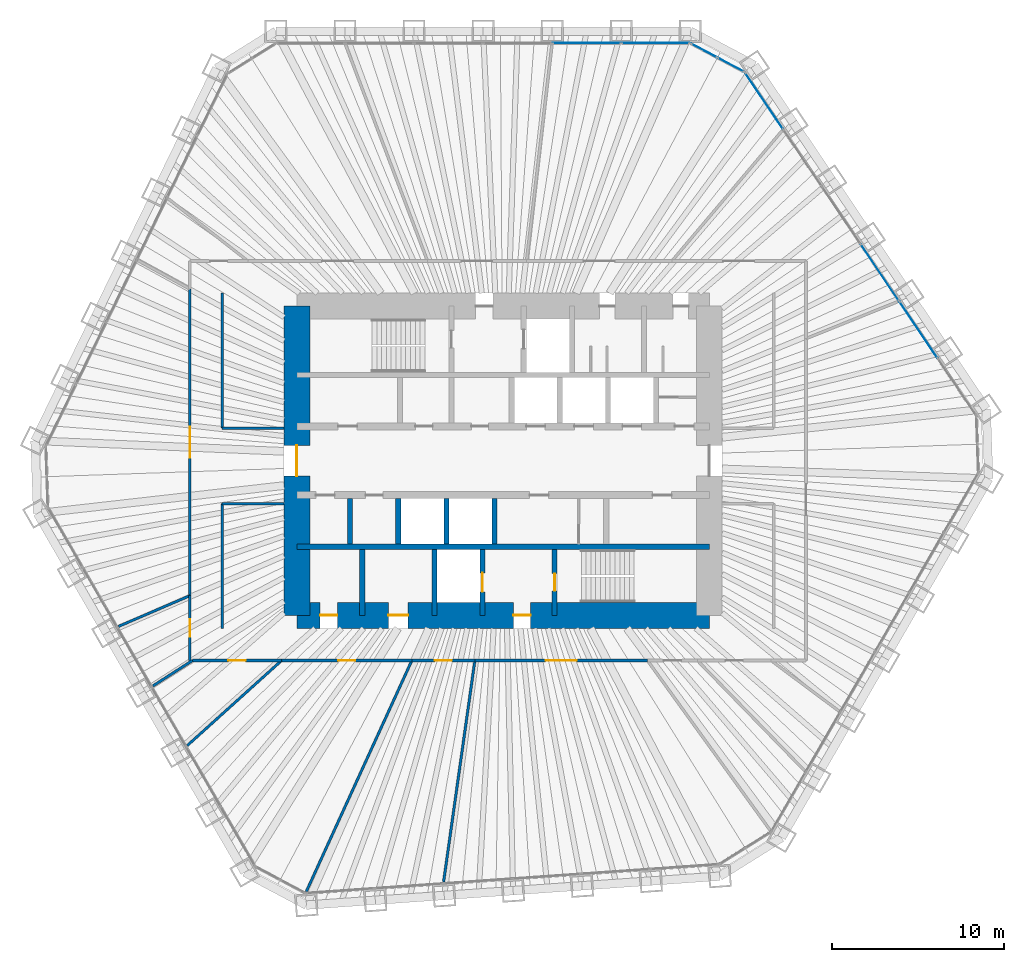
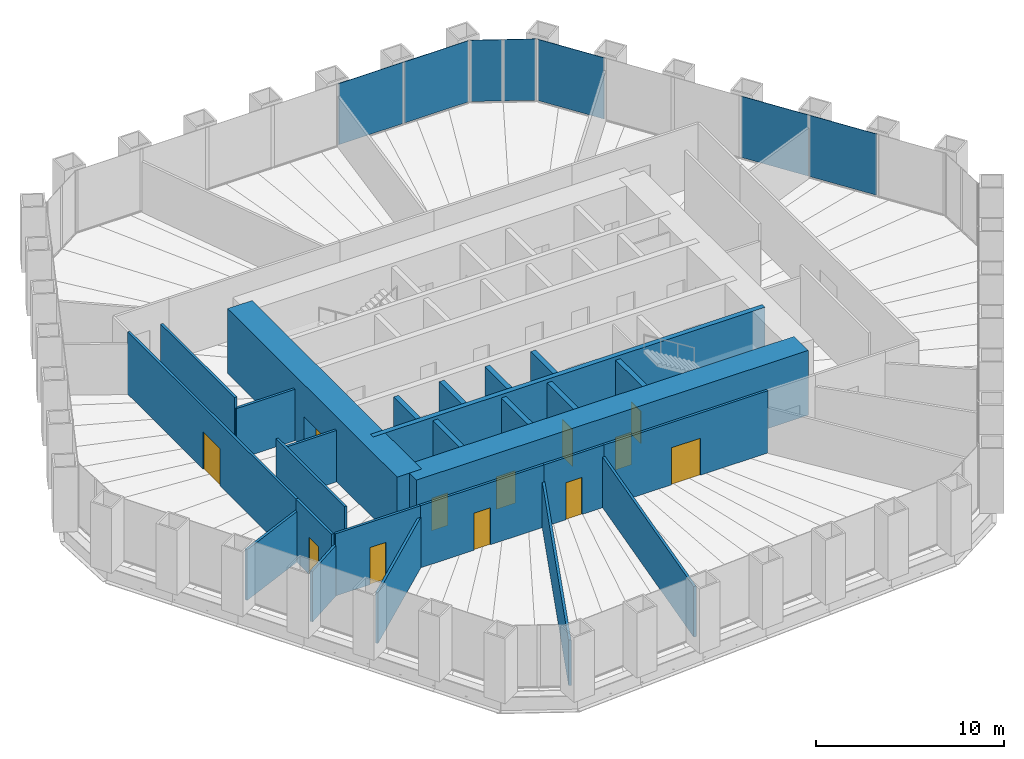
# One storey, part 10 of 13: 26 walls, 12 doors, 7 plates, 12 openings, 3 elements without a shape of their own.
"""IFC4 building model written with IfcOpenShell, lengths in metres."""

from ifc_helpers import new_model, si_unit, direction, frame, frame_2d, origin, origin_2d, place, context, subcontext, project, spatial, rectangle, extrude, material, layer, layer_set, type_object, element, fill, aggregate, save


model = new_model("IFC4")

# Units and contexts
model_context = context("Model", 3, precision=1e-05, world=origin(), true_north=direction((0.0, 1.0)))
body_context = subcontext(model_context, "Body", "Model", "MODEL_VIEW")
ifc_project = project(units=[si_unit("LENGTHUNIT", "METRE"), si_unit("AREAUNIT", "SQUARE_METRE"), si_unit("VOLUMEUNIT", "CUBIC_METRE"), si_unit("PLANEANGLEUNIT", "RADIAN"), si_unit("MASSUNIT", "GRAM", prefix="KILO")], contexts=[model_context])

# Site, building, storey
site_placement = place(None, origin())
site = spatial("IfcSite", under=ifc_project, at=site_placement, CompositionType="ELEMENT")
building_placement = place(site_placement, origin())
building = spatial("IfcBuilding", under=site, at=building_placement, Name="Qingtian Harvest Tower", CompositionType="ELEMENT")
storey_placement = place(building_placement, frame((0.0, 0.0, 161.800048828125)))
storey = spatial("IfcBuildingStorey", under=building, at=storey_placement, Name="L34", CompositionType="ELEMENT", Elevation=161.800048828125)

# Curtain wall, plates
ifc_material_1 = material(Name="Bronze-anodised aluminium curtain wall", Category="aluminium")
curtain_wall_type = type_object("IfcCurtainWallType", Name="Curtain wall CW4 office", PredefinedType="USERDEFINED", material=ifc_material_1)
curtain_wall_1_placement = place(storey_placement, origin())
curtain_wall_1 = element("IfcCurtainWall", 1, at=curtain_wall_1_placement, inside=storey, type_object=curtain_wall_type, Name="Curtain wall CW4 L34 N0-5", ObjectType="RECESSED CURTAIN WALL", PredefinedType="USERDEFINED")
ifc_material_2 = material(Name="Bronze-tinted laminated insulating glass", Category="glass")
ifc_layer_1 = layer(ifc_material_2, 0.030029296875)
ifc_layer_set_1 = layer_set([ifc_layer_1], Name="Glazed panel CWP tinted IGU")
plate_type = type_object("IfcPlateType", Name="Glazed panel CWP tinted IGU", PredefinedType="CURTAIN_PANEL", material=ifc_layer_set_1)
plate_1_placement = place(storey_placement, frame((4.864013671875, 24.300048828125, 0.06494140625), z_axis=(0.0, 0.0, 1.0), x_axis=(1.0, 0.0, 0.0)))
plate_1 = element("IfcPlate", 2, at=plate_1_placement, type_object=plate_type, Name="CW4 panel 5.1", PredefinedType="CURTAIN_PANEL", context=body_context, shape_type="SweptSolid", body=[
    extrude(rectangle(XDim=3.9541015625, YDim=0.030029296875, at=origin_2d()), origin(), (0.0, 0.0, 1.0), 3.965087890625),
])
plate_2_placement = place(storey_placement, frame((8.866943359375, 24.300048828125, 0.06494140625), z_axis=(0.0, 0.0, 1.0), x_axis=(1.0, 0.0, 0.0)))
plate_2 = element("IfcPlate", 3, at=plate_2_placement, type_object=plate_type, Name="CW4 panel 6.1", PredefinedType="CURTAIN_PANEL", context=body_context, shape_type="SweptSolid", body=[
    extrude(rectangle(XDim=3.921630859375, YDim=0.030029296875, at=origin_2d()), origin(), (0.0, 0.0, 1.0), 3.965087890625),
])
aggregate(curtain_wall_1, [plate_1, plate_2])

curtain_wall_2_placement = place(storey_placement, origin())
curtain_wall_2 = element("IfcCurtainWall", 4, at=curtain_wall_2_placement, inside=storey, type_object=curtain_wall_type, Name="Curtain wall CW4 L34 NC", ObjectType="RECESSED CURTAIN WALL", PredefinedType="USERDEFINED")
plate_3_placement = place(storey_placement, frame((11.697509765625, 23.8720703125, 0.06494140625), z_axis=(0.0, 0.0, 1.0), x_axis=(0.882947592859, -0.469471562786, 0.0)))
plate_3 = element("IfcPlate", 5, at=plate_3_placement, type_object=plate_type, Name="CW4 panel 1.1", PredefinedType="CURTAIN_PANEL", context=body_context, shape_type="SweptSolid", body=[
    extrude(rectangle(XDim=1.69287109375, YDim=0.030029296875, at=origin_2d()), origin(), (0.0, 0.0, 1.0), 3.965087890625),
])
plate_4_placement = place(storey_placement, frame((13.249755859375, 23.046875, 0.06494140625), z_axis=(0.0, 0.0, 1.0), x_axis=(0.882947592859, -0.469471562786, 0.0)))
plate_4 = element("IfcPlate", 6, at=plate_4_placement, type_object=plate_type, Name="CW4 panel 2.1", PredefinedType="CURTAIN_PANEL", context=body_context, shape_type="SweptSolid", body=[
    extrude(rectangle(XDim=1.69287109375, YDim=0.030029296875, at=origin_2d()), origin(), (0.0, 0.0, 1.0), 3.965087890625),
])
aggregate(curtain_wall_2, [plate_3, plate_4])

curtain_wall_3_placement = place(storey_placement, origin())
curtain_wall_3 = element("IfcCurtainWall", 7, at=curtain_wall_3_placement, inside=storey, type_object=curtain_wall_type, Name="Curtain wall CW4 L34 NE0-5", ObjectType="RECESSED CURTAIN WALL", PredefinedType="USERDEFINED")
plate_5_placement = place(storey_placement, frame((15.187255859375, 20.939453125, 0.06494140625), z_axis=(0.0, 0.0, 1.0), x_axis=(0.559192903471, -0.829037572555, 0.0)))
plate_5 = element("IfcPlate", 8, at=plate_5_placement, type_object=plate_type, Name="CW4 panel 1.1", PredefinedType="CURTAIN_PANEL", context=body_context, shape_type="SweptSolid", body=[
    extrude(rectangle(XDim=3.921630859375, YDim=0.030029296875, at=origin_2d()), origin(), (0.0, 0.0, 1.0), 3.965087890625),
])
plate_6_placement = place(storey_placement, frame((21.92041015625, 10.95703125, 0.06494140625), z_axis=(0.0, 0.0, 1.0), x_axis=(0.559192903471, -0.829037572555, 0.0)))
plate_6 = element("IfcPlate", 9, at=plate_6_placement, type_object=plate_type, Name="CW4 panel 4.1", PredefinedType="CURTAIN_PANEL", context=body_context, shape_type="SweptSolid", body=[
    extrude(rectangle(XDim=3.9541015625, YDim=0.030029296875, at=origin_2d()), origin(), (0.0, 0.0, 1.0), 3.965087890625),
])
plate_7_placement = place(storey_placement, frame((24.16796875, 7.625, 0.06494140625), z_axis=(0.0, 0.0, 1.0), x_axis=(0.559192903471, -0.829037572555, 0.0)))
plate_7 = element("IfcPlate", 10, at=plate_7_placement, type_object=plate_type, Name="CW4 panel 5.1", PredefinedType="CURTAIN_PANEL", context=body_context, shape_type="SweptSolid", body=[
    extrude(rectangle(XDim=3.9541015625, YDim=0.030029296875, at=origin_2d()), origin(), (0.0, 0.0, 1.0), 3.965087890625),
])
aggregate(curtain_wall_3, [plate_5, plate_6, plate_7])

# Walls
ifc_material_3 = material(Name="Concrete fc' 70 MPa", Category="concrete")
ifc_layer_2 = layer(ifc_material_3, 0.300048828125)
ifc_layer_set_2 = layer_set([ifc_layer_2], Name="Core inner wall RC5 300")
wall_type_1 = type_object("IfcWallType", Name="Core inner wall RC5 300", PredefinedType="SHEAR", material=ifc_layer_set_2)
wall_1_placement = place(storey_placement, frame((-12.0, -5.0, 0.0), z_axis=(0.0, 0.0, 1.0), x_axis=(1.0, 0.0, 0.0)))
element("IfcWall", 11, at=wall_1_placement, inside=storey, type_object=wall_type_1, Name="Core wall IS5 L34", PredefinedType="SHEAR", context=body_context, shape_type="SweptSolid", body=[
    extrude(rectangle(XDim=24.0, YDim=0.300048828125, at=frame_2d((12.0, 0.0))), origin(), (0.0, 0.0, 1.0), 4.199951171875),
])
ifc_material_4 = material(Name="Precast concrete shaft panel", Category="concrete")
ifc_layer_3 = layer(ifc_material_4, 0.300048828125)
ifc_layer_set_3 = layer_set([ifc_layer_3], Name="Core shaft partition SW1 300")
wall_type_2 = type_object("IfcWallType", Name="Core shaft partition SW1 300", PredefinedType="PARTITIONING", material=ifc_layer_set_3)
for number, where, z_axis, x_axis, name in (
    (12, (-8.89990234375, -4.85009765625, 0.0), (0.0, 0.0, 1.0), (0.0, 1.0, 0.0), "Core shaft partition XB1 L34"),
    (13, (-6.10009765625, -4.85009765625, 0.0), (0.0, 0.0, 1.0), (0.0, 1.0, 0.0), "Core shaft partition XB2 L34"),
    (14, (-3.300048828125, -4.85009765625, 0.0), (0.0, 0.0, 1.0), (0.0, 1.0, 0.0), "Core shaft partition XB3 L34"),
    (15, (-0.5, -4.85009765625, 0.0), (0.0, 0.0, 1.0), (0.0, 1.0, 0.0), "Core shaft partition XB4 L34"),
):
    element("IfcWall", number, at=place(storey_placement, frame(where, z_axis=z_axis, x_axis=x_axis)), inside=storey, type_object=wall_type_2, Name=name, PredefinedType="PARTITIONING", context=body_context, shape_type="SweptSolid", body=[
        extrude(rectangle(XDim=2.650146484375, YDim=0.300048828125, at=frame_2d((1.3251953125, 0.0))), origin(), (0.0, 0.0, 1.0), 3.97998046875),
    ])
for number, where, z_axis, x_axis, name in (
    (16, (-8.199951171875, -9.0, 0.0), (0.0, 0.0, 1.0), (0.0, 1.0, 0.0), "Core shaft partition XS1 L34"),
    (17, (-4.0, -9.0, 0.0), (0.0, 0.0, 1.0), (0.0, 1.0, 0.0), "Core shaft partition XS2 L34"),
):
    element("IfcWall", number, at=place(storey_placement, frame(where, z_axis=z_axis, x_axis=x_axis)), inside=storey, type_object=wall_type_2, Name=name, PredefinedType="PARTITIONING", context=body_context, shape_type="SweptSolid", body=[
        extrude(rectangle(XDim=3.85009765625, YDim=0.300048828125, at=frame_2d((1.925048828125, 0.0))), origin(), (0.0, 0.0, 1.0), 3.97998046875),
    ])

# Wall, opening, door
wall_2_placement = place(storey_placement, frame((-1.199951171875, -9.0, 0.0), z_axis=(0.0, 0.0, 1.0), x_axis=(0.0, 1.0, 0.0)))
wall_2 = element("IfcWall", 18, at=wall_2_placement, inside=storey, type_object=wall_type_2, Name="Core shaft partition XS3 L34", PredefinedType="PARTITIONING", context=body_context, shape_type="SweptSolid", body=[
    extrude(rectangle(XDim=3.85009765625, YDim=0.300048828125, at=frame_2d((1.925048828125, 0.0))), origin(), (0.0, 0.0, 1.0), 3.97998046875),
])
opening_1_placement = place(wall_2_placement, frame((1.375, 0.0, 0.0)))
opening_1 = element("IfcOpeningElement", 19, at=opening_1_placement, cuts=wall_2, Name="Opening LD1", PredefinedType="OPENING", context=body_context, shape_type="SweptSolid", body=[
    extrude(rectangle(XDim=1.10009765625, YDim=2.39990234375, at=frame_2d((0.550048828125, 1.199951171875))), frame((0.0, 0.159912109375, 0.0), z_axis=(0.0, -1.0, 0.0), x_axis=(1.0, 0.0, 0.0)), (0.0, 0.0, 1.0), 0.320068359375),
])
ifc_material_5 = material(Name="Stainless steel lift landing door", Category="steel")
door_type_1 = type_object("IfcDoorType", Name="Lift landing door LD1 1 HR", OperationType="DOUBLE_DOOR_SLIDING", PredefinedType="DOOR", material=ifc_material_5)
door_1_placement = place(opening_1_placement, origin())
door_1 = element("IfcDoor", 20, at=door_1_placement, inside=storey, type_object=door_type_1, Name="FL2 landing door L34", OperationType="DOUBLE_DOOR_SLIDING", OverallHeight=2.39990234375, OverallWidth=1.10009765625, PredefinedType="DOOR", context=body_context, shape_type="SweptSolid", body=[
    extrude(rectangle(XDim=1.10009765625, YDim=2.39990234375, at=frame_2d((0.550048828125, 1.199951171875))), frame((0.0, 0.02490234375, 0.0), z_axis=(0.0, -1.0, 0.0), x_axis=(1.0, 0.0, 0.0)), (0.0, 0.0, 1.0), 0.050048828125),
])
fill(opening_1, door_1)

wall_3_placement = place(storey_placement, frame((3.0, -9.0, 0.0), z_axis=(0.0, 0.0, 1.0), x_axis=(0.0, 1.0, 0.0)))
wall_3 = element("IfcWall", 21, at=wall_3_placement, inside=storey, type_object=wall_type_2, Name="Core shaft partition XS4 L34", PredefinedType="PARTITIONING", context=body_context, shape_type="SweptSolid", body=[
    extrude(rectangle(XDim=3.85009765625, YDim=0.300048828125, at=frame_2d((1.925048828125, 0.0))), origin(), (0.0, 0.0, 1.0), 3.97998046875),
])
opening_2_placement = place(wall_3_placement, frame((1.425048828125, 0.0, 0.0)))
opening_2 = element("IfcOpeningElement", 22, at=opening_2_placement, cuts=wall_3, Name="Opening FD1", PredefinedType="OPENING", context=body_context, shape_type="SweptSolid", body=[
    extrude(rectangle(XDim=1.0, YDim=2.10009765625, at=frame_2d((0.5, 1.050048828125))), frame((0.0, 0.159912109375, 0.0), z_axis=(0.0, -1.0, 0.0), x_axis=(1.0, 0.0, 0.0)), (0.0, 0.0, 1.0), 0.320068359375),
])
ifc_material_6 = material(Name="Steel-faced door leaf", Category="steel")
door_type_2 = type_object("IfcDoorType", Name="Fire door FD1 single 1 HR", OperationType="SINGLE_SWING_LEFT", PredefinedType="DOOR", material=ifc_material_6)
door_2_placement = place(opening_2_placement, origin())
door_2 = element("IfcDoor", 23, at=door_2_placement, inside=storey, type_object=door_type_2, Name="S2 door L34", OperationType="SINGLE_SWING_RIGHT", OverallHeight=2.10009765625, OverallWidth=1.0, PredefinedType="DOOR", context=body_context, shape_type="SweptSolid", body=[
    extrude(rectangle(XDim=1.0, YDim=2.10009765625, at=frame_2d((0.5, 1.050048828125))), frame((0.0, 0.02490234375, 0.0), z_axis=(0.0, -1.0, 0.0), x_axis=(1.0, 0.0, 0.0)), (0.0, 0.0, 1.0), 0.050048828125),
])
fill(opening_2, door_2)

# Wall, openings, doors
ifc_material_7 = material(Name="Concrete fc' 70 MPa", Category="concrete")
ifc_layer_4 = layer(ifc_material_7, 1.5)
ifc_layer_set_4 = layer_set([ifc_layer_4], Name="Core wall RC1 1500")
wall_type_3 = type_object("IfcWallType", Name="Core wall RC1 1500", PredefinedType="SHEAR", material=ifc_layer_set_4)
wall_4_placement = place(storey_placement, frame((-12.0, -9.0, 0.0), z_axis=(0.0, 0.0, 1.0), x_axis=(1.0, 0.0, 0.0)))
wall_4 = element("IfcWall", 24, at=wall_4_placement, inside=storey, type_object=wall_type_3, Name="Core wall CS L34", PredefinedType="SHEAR", context=body_context, shape_type="SweptSolid", body=[
    extrude(rectangle(XDim=24.0, YDim=1.5, at=frame_2d((12.0, 0.0))), origin(), (0.0, 0.0, 1.0), 4.199951171875),
])
opening_3_placement = place(wall_4_placement, frame((1.35009765625, 0.0, 0.0)))
opening_3 = element("IfcOpeningElement", 25, at=opening_3_placement, cuts=wall_4, Name="Opening FD1", PredefinedType="OPENING", context=body_context, shape_type="SweptSolid", body=[
    extrude(rectangle(XDim=1.0, YDim=2.10009765625, at=frame_2d((0.5, 1.050048828125))), frame((0.0, 0.760009765625, 0.0), z_axis=(0.0, -1.0, 0.0), x_axis=(1.0, 0.0, 0.0)), (0.0, 0.0, 1.0), 1.52001953125),
])
opening_4_placement = place(wall_4_placement, frame((5.324951171875, 0.0, 0.0)))
opening_4 = element("IfcOpeningElement", 26, at=opening_4_placement, cuts=wall_4, Name="Opening AD1", PredefinedType="OPENING", context=body_context, shape_type="SweptSolid", body=[
    extrude(rectangle(XDim=1.14990234375, YDim=2.10009765625, at=frame_2d((0.574951171875, 1.050048828125))), frame((0.0, 0.760009765625, 0.0), z_axis=(0.0, -1.0, 0.0), x_axis=(1.0, 0.0, 0.0)), (0.0, 0.0, 1.0), 1.52001953125),
])
opening_5_placement = place(wall_4_placement, frame((12.60009765625, 0.0, 0.0)))
opening_5 = element("IfcOpeningElement", 27, at=opening_5_placement, cuts=wall_4, Name="Opening FD1", PredefinedType="OPENING", context=body_context, shape_type="SweptSolid", body=[
    extrude(rectangle(XDim=1.0, YDim=2.10009765625, at=frame_2d((0.5, 1.050048828125))), frame((0.0, 0.760009765625, 0.0), z_axis=(0.0, -1.0, 0.0), x_axis=(1.0, 0.0, 0.0)), (0.0, 0.0, 1.0), 1.52001953125),
])
ifc_material_8 = material(Name="Laminated timber door leaf", Category="wood")
door_type_3 = type_object("IfcDoorType", Name="Accessible WC door AD1 single", OperationType="SINGLE_SWING_LEFT", PredefinedType="DOOR", material=ifc_material_8)
door_3_placement = place(opening_4_placement, origin())
door_3 = element("IfcDoor", 28, at=door_3_placement, inside=storey, type_object=door_type_3, Name="AWC door L34", OperationType="SINGLE_SWING_RIGHT", OverallHeight=2.10009765625, OverallWidth=1.14990234375, PredefinedType="DOOR", context=body_context, shape_type="SweptSolid", body=[
    extrude(rectangle(XDim=1.14990234375, YDim=2.10009765625, at=frame_2d((0.574951171875, 1.050048828125))), frame((0.0, 0.02490234375, 0.0), z_axis=(0.0, -1.0, 0.0), x_axis=(1.0, 0.0, 0.0)), (0.0, 0.0, 1.0), 0.050048828125),
])
fill(opening_4, door_3)
door_4_placement = place(opening_3_placement, origin())
door_4 = element("IfcDoor", 29, at=door_4_placement, inside=storey, type_object=door_type_2, Name="CLN door L34", OperationType="SINGLE_SWING_LEFT", OverallHeight=2.10009765625, OverallWidth=1.0, PredefinedType="DOOR", context=body_context, shape_type="SweptSolid", body=[
    extrude(rectangle(XDim=1.0, YDim=2.10009765625, at=frame_2d((0.5, 1.050048828125))), frame((0.0, 0.02490234375, 0.0), z_axis=(0.0, -1.0, 0.0), x_axis=(1.0, 0.0, 0.0)), (0.0, 0.0, 1.0), 0.050048828125),
])
fill(opening_3, door_4)
door_5_placement = place(opening_5_placement, origin())
door_5 = element("IfcDoor", 30, at=door_5_placement, inside=storey, type_object=door_type_2, Name="V2 door L34", OperationType="SINGLE_SWING_LEFT", OverallHeight=2.10009765625, OverallWidth=1.0, PredefinedType="DOOR", context=body_context, shape_type="SweptSolid", body=[
    extrude(rectangle(XDim=1.0, YDim=2.10009765625, at=frame_2d((0.5, 1.050048828125))), frame((0.0, 0.02490234375, 0.0), z_axis=(0.0, -1.0, 0.0), x_axis=(1.0, 0.0, 0.0)), (0.0, 0.0, 1.0), 0.050048828125),
])
fill(opening_5, door_5)

# Wall, opening, door
wall_5_placement = place(storey_placement, frame((-12.0, -9.0, 0.0), z_axis=(0.0, 0.0, 1.0), x_axis=(0.0, 1.0, 0.0)))
wall_5 = element("IfcWall", 31, at=wall_5_placement, inside=storey, type_object=wall_type_3, Name="Core wall CW L34", PredefinedType="SHEAR", context=body_context, shape_type="SweptSolid", body=[
    extrude(rectangle(XDim=18.0, YDim=1.5, at=frame_2d((9.0, 0.0))), origin(), (0.0, 0.0, 1.0), 4.199951171875),
])
opening_6_placement = place(wall_5_placement, frame((8.10009765625, 0.0, 0.0)))
opening_6 = element("IfcOpeningElement", 32, at=opening_6_placement, cuts=wall_5, Name="Opening FD2", PredefinedType="OPENING", context=body_context, shape_type="SweptSolid", body=[
    extrude(rectangle(XDim=1.800048828125, YDim=2.10009765625, at=frame_2d((0.89990234375, 1.050048828125))), frame((0.0, 0.760009765625, 0.0), z_axis=(0.0, -1.0, 0.0), x_axis=(1.0, 0.0, 0.0)), (0.0, 0.0, 1.0), 1.52001953125),
])
ifc_material_9 = material(Name="Steel-faced door leaf", Category="steel")
door_type_4 = type_object("IfcDoorType", Name="Fire door FD2 double 1 HR", OperationType="DOUBLE_DOOR_DOUBLE_SWING", PredefinedType="DOOR", material=ifc_material_9)
door_6_placement = place(opening_6_placement, origin())
door_6 = element("IfcDoor", 33, at=door_6_placement, inside=storey, type_object=door_type_4, Name="LOBBY-W door L34", OperationType="DOUBLE_DOOR_DOUBLE_SWING", OverallHeight=2.10009765625, OverallWidth=1.800048828125, PredefinedType="DOOR", context=body_context, shape_type="SweptSolid", body=[
    extrude(rectangle(XDim=1.800048828125, YDim=2.10009765625, at=frame_2d((0.89990234375, 1.050048828125))), frame((0.0, 0.02490234375, 0.0), z_axis=(0.0, -1.0, 0.0), x_axis=(1.0, 0.0, 0.0)), (0.0, 0.0, 1.0), 0.050048828125),
])
fill(opening_6, door_6)

ifc_material_10 = material(Name="Gypsum board on steel studs", Category="steel")
ifc_layer_5 = layer(ifc_material_10, 0.14990234375)
ifc_layer_set_5 = layer_set([ifc_layer_5], Name="Partition PT1 150")
wall_type_4 = type_object("IfcWallType", Name="Partition PT1 150", PredefinedType="PARTITIONING", material=ifc_layer_set_5)
wall_6_placement = place(storey_placement, frame((8.4013671875, -11.625, 0.0), z_axis=(0.0, 0.0, 1.0), x_axis=(-1.0, 0.0, 0.0)))
wall_6 = element("IfcWall", 34, at=wall_6_placement, inside=storey, type_object=wall_type_4, Name="Grower training room wall L34", PredefinedType="PARTITIONING", context=body_context, shape_type="SweptSolid", body=[
    extrude(rectangle(XDim=10.043701171875, YDim=0.14990234375, at=frame_2d((5.02197265625, 0.0))), origin(), (0.0, 0.0, 1.0), 4.030029296875),
])
opening_7_placement = place(wall_6_placement, frame((4.121826171875, 0.0, 0.0)))
opening_7 = element("IfcOpeningElement", 35, at=opening_7_placement, cuts=wall_6, Name="Opening D3", PredefinedType="OPENING", context=body_context, shape_type="SweptSolid", body=[
    extrude(rectangle(XDim=1.800048828125, YDim=2.39990234375, at=frame_2d((0.89990234375, 1.199951171875))), frame((0.0, 0.0849609375, 0.0), z_axis=(0.0, -1.0, 0.0), x_axis=(1.0, 0.0, 0.0)), (0.0, 0.0, 1.0), 0.169921875),
])
ifc_material_11 = material(Name="Laminated timber door leaf", Category="wood")
door_type_5 = type_object("IfcDoorType", Name="Room door D3 double", OperationType="DOUBLE_DOOR_DOUBLE_SWING", PredefinedType="DOOR", material=ifc_material_11)
door_7_placement = place(opening_7_placement, origin())
door_7 = element("IfcDoor", 36, at=door_7_placement, inside=storey, type_object=door_type_5, Name="Grower training room door L34", OperationType="DOUBLE_DOOR_DOUBLE_SWING", OverallHeight=2.39990234375, OverallWidth=1.800048828125, PredefinedType="DOOR", context=body_context, shape_type="SweptSolid", body=[
    extrude(rectangle(XDim=1.800048828125, YDim=2.39990234375, at=frame_2d((0.89990234375, 1.199951171875))), frame((0.0, 0.02490234375, 0.0), z_axis=(0.0, -1.0, 0.0), x_axis=(1.0, 0.0, 0.0)), (0.0, 0.0, 1.0), 0.050048828125),
])
fill(opening_7, door_7)

# Wall
wall_7_placement = place(storey_placement, frame((-3.4619140625, -24.50341796875, 0.0), z_axis=(0.0, 0.0, 1.0), x_axis=(0.139899618934, 0.990165691499, 0.0)))
element("IfcWall", 37, at=wall_7_placement, inside=storey, type_object=wall_type_4, Name="Pantry wall L34", PredefinedType="PARTITIONING", context=body_context, shape_type="SweptSolid", body=[
    extrude(rectangle(XDim=13.00634765625, YDim=0.14990234375, at=frame_2d((6.503173828125, 0.0))), origin(), (0.0, 0.0, 1.0), 3.280029296875),
])

# Wall, opening, door
wall_8_placement = place(storey_placement, frame((-1.642333984375, -11.625, 0.0), z_axis=(0.0, 0.0, 1.0), x_axis=(-1.0, 0.0, 0.0)))
wall_8 = element("IfcWall", 38, at=wall_8_placement, inside=storey, type_object=wall_type_4, Name="Pantry wall L34", PredefinedType="PARTITIONING", context=body_context, shape_type="SweptSolid", body=[
    extrude(rectangle(XDim=3.66796875, YDim=0.14990234375, at=frame_2d((1.833984375, 0.0))), origin(), (0.0, 0.0, 1.0), 4.030029296875),
])
opening_8_placement = place(wall_8_placement, frame((1.333984375, 0.0, 0.0)))
opening_8 = element("IfcOpeningElement", 39, at=opening_8_placement, cuts=wall_8, Name="Opening D2", PredefinedType="OPENING", context=body_context, shape_type="SweptSolid", body=[
    extrude(rectangle(XDim=1.0, YDim=2.39990234375, at=frame_2d((0.5, 1.199951171875))), frame((0.0, 0.0849609375, 0.0), z_axis=(0.0, -1.0, 0.0), x_axis=(1.0, 0.0, 0.0)), (0.0, 0.0, 1.0), 0.169921875),
])
ifc_material_12 = material(Name="Laminated timber door leaf", Category="wood")
door_type_6 = type_object("IfcDoorType", Name="Room door D2 single", OperationType="SINGLE_SWING_LEFT", PredefinedType="DOOR", material=ifc_material_12)
door_8_placement = place(opening_8_placement, origin())
door_8 = element("IfcDoor", 40, at=door_8_placement, inside=storey, type_object=door_type_6, Name="Pantry door L34", OperationType="SINGLE_SWING_LEFT", OverallHeight=2.39990234375, OverallWidth=1.0, PredefinedType="DOOR", context=body_context, shape_type="SweptSolid", body=[
    extrude(rectangle(XDim=1.0, YDim=2.39990234375, at=frame_2d((0.5, 1.199951171875))), frame((0.0, 0.02490234375, 0.0), z_axis=(0.0, -1.0, 0.0), x_axis=(1.0, 0.0, 0.0)), (0.0, 0.0, 1.0), 0.050048828125),
])
fill(opening_8, door_8)

# Wall
wall_9_placement = place(storey_placement, frame((-11.452880859375, -25.072265625, 0.0), z_axis=(0.0, 0.0, 1.0), x_axis=(0.415494357555, 0.909595755729, 0.0)))
element("IfcWall", 41, at=wall_9_placement, inside=storey, type_object=wall_type_4, Name="Meeting room wall L34", PredefinedType="PARTITIONING", context=body_context, shape_type="SweptSolid", body=[
    extrude(rectangle(XDim=14.78369140625, YDim=0.14990234375, at=frame_2d((7.391845703125, 0.0))), origin(), (0.0, 0.0, 1.0), 2.929931640625),
])

# Wall, opening, door
wall_10_placement = place(storey_placement, frame((-5.310302734375, -11.625, 0.0), z_axis=(0.0, 0.0, 1.0), x_axis=(-1.0, 0.0, 0.0)))
wall_10 = element("IfcWall", 42, at=wall_10_placement, inside=storey, type_object=wall_type_4, Name="Meeting room wall L34", PredefinedType="PARTITIONING", context=body_context, shape_type="SweptSolid", body=[
    extrude(rectangle(XDim=7.581787109375, YDim=0.14990234375, at=frame_2d((3.791015625, 0.0))), origin(), (0.0, 0.0, 1.0), 4.030029296875),
])
opening_9_placement = place(wall_10_placement, frame((3.290771484375, 0.0, 0.0)))
opening_9 = element("IfcOpeningElement", 43, at=opening_9_placement, cuts=wall_10, Name="Opening D2", PredefinedType="OPENING", context=body_context, shape_type="SweptSolid", body=[
    extrude(rectangle(XDim=1.0, YDim=2.39990234375, at=frame_2d((0.5, 1.199951171875))), frame((0.0, 0.0849609375, 0.0), z_axis=(0.0, -1.0, 0.0), x_axis=(1.0, 0.0, 0.0)), (0.0, 0.0, 1.0), 0.169921875),
])
door_9_placement = place(opening_9_placement, origin())
door_9 = element("IfcDoor", 44, at=door_9_placement, inside=storey, type_object=door_type_6, Name="Meeting room door L34", OperationType="SINGLE_SWING_LEFT", OverallHeight=2.39990234375, OverallWidth=1.0, PredefinedType="DOOR", context=body_context, shape_type="SweptSolid", body=[
    extrude(rectangle(XDim=1.0, YDim=2.39990234375, at=frame_2d((0.5, 1.199951171875))), frame((0.0, 0.02490234375, 0.0), z_axis=(0.0, -1.0, 0.0), x_axis=(1.0, 0.0, 0.0)), (0.0, 0.0, 1.0), 0.050048828125),
])
fill(opening_9, door_9)

# Wall
wall_11_placement = place(storey_placement, frame((-18.37841796875, -16.572021484375, 0.0), z_axis=(0.0, 0.0, 1.0), x_axis=(0.742666079924, 0.669661924951, 0.0)))
element("IfcWall", 45, at=wall_11_placement, inside=storey, type_object=wall_type_4, Name="Focus room wall L34", PredefinedType="PARTITIONING", context=body_context, shape_type="SweptSolid", body=[
    extrude(rectangle(XDim=7.387451171875, YDim=0.14990234375, at=frame_2d((3.69384765625, 0.0))), origin(), (0.0, 0.0, 1.0), 3.280029296875),
])

# Wall, opening, door
wall_12_placement = place(storey_placement, frame((-12.89208984375, -11.625, 0.0), z_axis=(0.0, 0.0, 1.0), x_axis=(-1.0, 0.0, 0.0)))
wall_12 = element("IfcWall", 46, at=wall_12_placement, inside=storey, type_object=wall_type_4, Name="Focus room wall L34", PredefinedType="PARTITIONING", context=body_context, shape_type="SweptSolid", body=[
    extrude(rectangle(XDim=5.185302734375, YDim=0.14990234375, at=frame_2d((2.5927734375, 0.0))), origin(), (0.0, 0.0, 1.0), 4.030029296875),
])
opening_10_placement = place(wall_12_placement, frame((2.0927734375, 0.0, 0.0)))
opening_10 = element("IfcOpeningElement", 47, at=opening_10_placement, cuts=wall_12, Name="Opening D2", PredefinedType="OPENING", context=body_context, shape_type="SweptSolid", body=[
    extrude(rectangle(XDim=1.0, YDim=2.39990234375, at=frame_2d((0.5, 1.199951171875))), frame((0.0, 0.0849609375, 0.0), z_axis=(0.0, -1.0, 0.0), x_axis=(1.0, 0.0, 0.0)), (0.0, 0.0, 1.0), 0.169921875),
])
door_10_placement = place(opening_10_placement, origin())
door_10 = element("IfcDoor", 48, at=door_10_placement, inside=storey, type_object=door_type_6, Name="Focus room door L34", OperationType="SINGLE_SWING_LEFT", OverallHeight=2.39990234375, OverallWidth=1.0, PredefinedType="DOOR", context=body_context, shape_type="SweptSolid", body=[
    extrude(rectangle(XDim=1.0, YDim=2.39990234375, at=frame_2d((0.5, 1.199951171875))), frame((0.0, 0.02490234375, 0.0), z_axis=(0.0, -1.0, 0.0), x_axis=(1.0, 0.0, 0.0)), (0.0, 0.0, 1.0), 0.050048828125),
])
fill(opening_10, door_10)

# Wall
wall_13_placement = place(storey_placement, frame((-20.378173828125, -13.1044921875, 0.0), z_axis=(0.0, 0.0, 1.0), x_axis=(0.841108871346, 0.540865848934, 0.0)))
element("IfcWall", 49, at=wall_13_placement, inside=storey, type_object=wall_type_4, Name="Print room wall L34", PredefinedType="PARTITIONING", context=body_context, shape_type="SweptSolid", body=[
    extrude(rectangle(XDim=2.7353515625, YDim=0.14990234375, at=frame_2d((1.36767578125, 0.0))), origin(), (0.0, 0.0, 1.0), 3.280029296875),
])

# Wall, opening, door
wall_14_placement = place(storey_placement, frame((-18.22509765625, -11.625, 0.0), z_axis=(0.0, 0.0, 1.0), x_axis=(0.0, 1.0, 0.0)))
wall_14 = element("IfcWall", 50, at=wall_14_placement, inside=storey, type_object=wall_type_4, Name="Print room wall L34", PredefinedType="PARTITIONING", context=body_context, shape_type="SweptSolid", body=[
    extrude(rectangle(XDim=3.776123046875, YDim=0.14990234375, at=frame_2d((1.88818359375, 0.0))), origin(), (0.0, 0.0, 1.0), 4.030029296875),
])
opening_11_placement = place(wall_14_placement, frame((1.387939453125, 0.0, 0.0)))
opening_11 = element("IfcOpeningElement", 51, at=opening_11_placement, cuts=wall_14, Name="Opening D2", PredefinedType="OPENING", context=body_context, shape_type="SweptSolid", body=[
    extrude(rectangle(XDim=1.0, YDim=2.39990234375, at=frame_2d((0.5, 1.199951171875))), frame((0.0, 0.0849609375, 0.0), z_axis=(0.0, -1.0, 0.0), x_axis=(1.0, 0.0, 0.0)), (0.0, 0.0, 1.0), 0.169921875),
])
door_11_placement = place(opening_11_placement, origin())
door_11 = element("IfcDoor", 52, at=door_11_placement, inside=storey, type_object=door_type_6, Name="Print room door L34", OperationType="SINGLE_SWING_LEFT", OverallHeight=2.39990234375, OverallWidth=1.0, PredefinedType="DOOR", context=body_context, shape_type="SweptSolid", body=[
    extrude(rectangle(XDim=1.0, YDim=2.39990234375, at=frame_2d((0.5, 1.199951171875))), frame((0.0, 0.02490234375, 0.0), z_axis=(0.0, -1.0, 0.0), x_axis=(1.0, 0.0, 0.0)), (0.0, 0.0, 1.0), 0.050048828125),
])
fill(opening_11, door_11)

# Wall
wall_15_placement = place(storey_placement, frame((-22.3798828125, -9.638427734375, 0.0), z_axis=(0.0, 0.0, 1.0), x_axis=(0.918428905659, 0.395586078181, 0.0)))
element("IfcWall", 53, at=wall_15_placement, inside=storey, type_object=wall_type_4, Name="Office suite wall L34", PredefinedType="PARTITIONING", context=body_context, shape_type="SweptSolid", body=[
    extrude(rectangle(XDim=4.523681640625, YDim=0.14990234375, at=frame_2d((2.26171875, 0.0))), origin(), (0.0, 0.0, 1.0), 3.280029296875),
])

# Wall, opening, door
wall_16_placement = place(storey_placement, frame((-18.22509765625, -7.848876953125, 0.0), z_axis=(0.0, 0.0, 1.0), x_axis=(0.0, 1.0, 0.0)))
wall_16 = element("IfcWall", 54, at=wall_16_placement, inside=storey, type_object=wall_type_4, Name="Office suite wall L34", PredefinedType="PARTITIONING", context=body_context, shape_type="SweptSolid", body=[
    extrude(rectangle(XDim=17.8447265625, YDim=0.14990234375, at=frame_2d((8.92236328125, 0.0))), origin(), (0.0, 0.0, 1.0), 4.030029296875),
])
opening_12_placement = place(wall_16_placement, frame((8.0224609375, 0.0, 0.0)))
opening_12 = element("IfcOpeningElement", 55, at=opening_12_placement, cuts=wall_16, Name="Opening D3", PredefinedType="OPENING", context=body_context, shape_type="SweptSolid", body=[
    extrude(rectangle(XDim=1.800048828125, YDim=2.39990234375, at=frame_2d((0.89990234375, 1.199951171875))), frame((0.0, 0.0849609375, 0.0), z_axis=(0.0, -1.0, 0.0), x_axis=(1.0, 0.0, 0.0)), (0.0, 0.0, 1.0), 0.169921875),
])
door_12_placement = place(opening_12_placement, origin())
door_12 = element("IfcDoor", 56, at=door_12_placement, inside=storey, type_object=door_type_5, Name="Office suite door L34", OperationType="DOUBLE_DOOR_DOUBLE_SWING", OverallHeight=2.39990234375, OverallWidth=1.800048828125, PredefinedType="DOOR", context=body_context, shape_type="SweptSolid", body=[
    extrude(rectangle(XDim=1.800048828125, YDim=2.39990234375, at=frame_2d((0.89990234375, 1.199951171875))), frame((0.0, 0.02490234375, 0.0), z_axis=(0.0, -1.0, 0.0), x_axis=(1.0, 0.0, 0.0)), (0.0, 0.0, 1.0), 0.050048828125),
])
fill(opening_12, door_12)

# Walls
wall_17_placement = place(storey_placement, frame((-16.35009765625, 1.89990234375, 0.0), z_axis=(0.0, 0.0, 1.0), x_axis=(0.0, 1.0, 0.0)))
element("IfcWall", 57, at=wall_17_placement, inside=storey, type_object=wall_type_4, Name="Reading area wall L34", PredefinedType="PARTITIONING", context=body_context, shape_type="SweptSolid", body=[
    extrude(rectangle(XDim=7.85009765625, YDim=0.14990234375, at=frame_2d((3.925048828125, 0.0))), origin(), (0.0, 0.0, 1.0), 4.030029296875),
])
wall_18_placement = place(storey_placement, frame((-12.75, 1.89990234375, 0.0), z_axis=(0.0, 0.0, 1.0), x_axis=(-1.0, 0.0, 0.0)))
element("IfcWall", 58, at=wall_18_placement, inside=storey, type_object=wall_type_4, Name="Reading area wall L34", PredefinedType="PARTITIONING", context=body_context, shape_type="SweptSolid", body=[
    extrude(rectangle(XDim=3.60009765625, YDim=0.14990234375, at=frame_2d((1.800048828125, 0.0))), origin(), (0.0, 0.0, 1.0), 3.329833984375),
])
wall_19_placement = place(storey_placement, frame((-16.35009765625, -9.75, 0.0), z_axis=(0.0, 0.0, 1.0), x_axis=(0.0, 1.0, 0.0)))
element("IfcWall", 59, at=wall_19_placement, inside=storey, type_object=wall_type_4, Name="Coffee point wall L34", PredefinedType="PARTITIONING", context=body_context, shape_type="SweptSolid", body=[
    extrude(rectangle(XDim=7.25, YDim=0.14990234375, at=frame_2d((3.625, 0.0))), origin(), (0.0, 0.0, 1.0), 4.030029296875),
])
wall_20_placement = place(storey_placement, frame((-12.75, -2.5, 0.0), z_axis=(0.0, 0.0, 1.0), x_axis=(-1.0, 0.0, 0.0)))
element("IfcWall", 60, at=wall_20_placement, inside=storey, type_object=wall_type_4, Name="Coffee point wall L34", PredefinedType="PARTITIONING", context=body_context, shape_type="SweptSolid", body=[
    extrude(rectangle(XDim=3.60009765625, YDim=0.14990234375, at=frame_2d((1.800048828125, 0.0))), origin(), (0.0, 0.0, 1.0), 3.329833984375),
])

save(model, "model.ifc")
